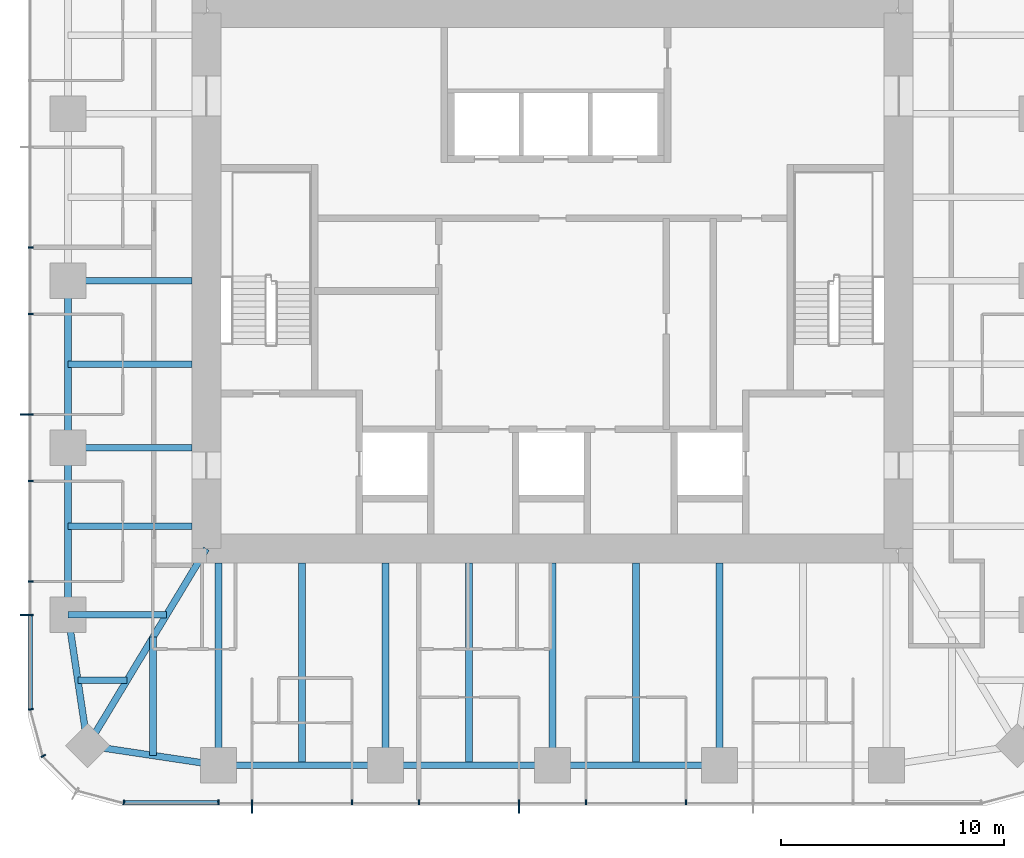
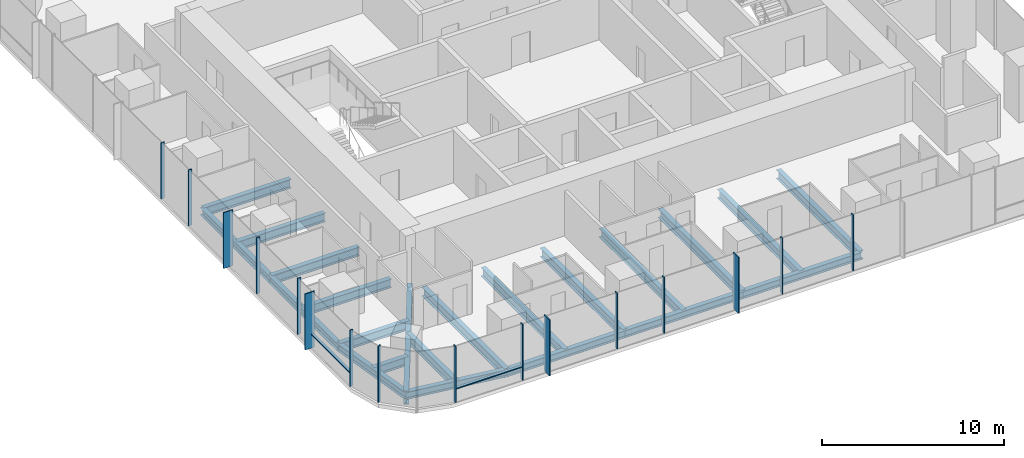
# One storey, part 2 of 12: 22 beams, 18 members, 3 elements without a shape of their own.
"""IFC4 building model written with IfcOpenShell, lengths in metres."""

from ifc_helpers import new_model, si_unit, direction, frame, origin, origin_2d, place, context, subcontext, project, spatial, rectangle, i_section, extrude, material, material_profile, profile_set, type_object, element, aggregate, save


model = new_model("IFC4")

# Units and contexts
model_context = context("Model", 3, precision=1e-05, world=origin(), true_north=direction((0.0, 1.0)))
body_context = subcontext(model_context, "Body", "Model", "MODEL_VIEW")
ifc_project = project(units=[si_unit("LENGTHUNIT", "METRE"), si_unit("AREAUNIT", "SQUARE_METRE"), si_unit("VOLUMEUNIT", "CUBIC_METRE"), si_unit("PLANEANGLEUNIT", "RADIAN"), si_unit("MASSUNIT", "GRAM", prefix="KILO")], contexts=[model_context])

# Site, building, storey
site_placement = place(None, origin())
site = spatial("IfcSite", under=ifc_project, at=site_placement, CompositionType="ELEMENT")
building_placement = place(site_placement, origin())
building = spatial("IfcBuilding", under=site, at=building_placement, Name="Khuree Lantern Residences", CompositionType="ELEMENT")
storey_placement = place(building_placement, frame((0.0, 0.0, 315.75)))
storey = spatial("IfcBuildingStorey", under=building, at=storey_placement, Name="L79", CompositionType="ELEMENT", Elevation=315.75)

# Beams
ifc_material_1 = material(Name="Steel S355", Category="steel")
ifc_material_profile_1 = material_profile(ifc_material_1, i_section(OverallWidth=0.300048828125, OverallDepth=0.590087890625, WebThickness=0.012939453125, FlangeThickness=0.02490234375, FilletRadius=0.027099609375, at=origin_2d()), Name="HE 600 A")
ifc_profile_set_1 = profile_set([ifc_material_profile_1], Name="Steel S355")
beam_type_1 = type_object("IfcBeamType", Name="B-43 SECONDARY BEAM HE 600 A", PredefinedType="BEAM", material=ifc_profile_set_1)
for number, where, z_axis, x_axis, name in (
    (1, (3.739990234375, -21.699951171875, -0.544921875), (0.0, 1.0, 0.0), (-1.0, 0.0, 0.0), "Secondary beam S3"),
    (2, (-3.739990234375, -21.699951171875, -0.544921875), (0.0, 1.0, 0.0), (-1.0, 0.0, 0.0), "Secondary beam S4"),
    (3, (-11.219970703125, -21.699951171875, -0.544921875), (0.0, 1.0, 0.0), (-1.0, 0.0, 0.0), "Secondary beam S5"),
):
    element("IfcBeam", number, at=place(storey_placement, frame(where, z_axis=z_axis, x_axis=x_axis)), inside=storey, type_object=beam_type_1, Name=name, PredefinedType="BEAM", context=body_context, shape_type="SweptSolid", body=[
        extrude(i_section(OverallWidth=0.300048828125, OverallDepth=0.590087890625, WebThickness=0.012939453125, FlangeThickness=0.02490234375, FilletRadius=0.027099609375, at=origin_2d()), origin(), (0.0, 0.0, 1.0), 9.050048828125),
    ])
beam_1_placement = place(storey_placement, frame((-17.890625, -21.2607421875, -0.544921875), z_axis=(0.0, 1.0, 0.0), x_axis=(-1.0, 0.0, 0.0)))
element("IfcBeam", 4, at=beam_1_placement, inside=storey, type_object=beam_type_1, Name="Secondary beam S6", PredefinedType="BEAM", context=body_context, shape_type="SweptSolid", body=[
    extrude(i_section(OverallWidth=0.300048828125, OverallDepth=0.590087890625, WebThickness=0.012939453125, FlangeThickness=0.02490234375, FilletRadius=0.027099609375, at=origin_2d()), origin(), (0.0, 0.0, 1.0), 5.297607421875),
])
beam_2_placement = place(storey_placement, frame((-21.2607421875, -17.890625, -0.544921875), z_axis=(1.0, 0.0, 0.0), x_axis=(0.0, 1.0, 0.0)))
element("IfcBeam", 5, at=beam_2_placement, inside=storey, type_object=beam_type_1, Name="Secondary beam W1", PredefinedType="BEAM", context=body_context, shape_type="SweptSolid", body=[
    extrude(i_section(OverallWidth=0.300048828125, OverallDepth=0.590087890625, WebThickness=0.012939453125, FlangeThickness=0.02490234375, FilletRadius=0.027099609375, at=origin_2d()), origin(), (0.0, 0.0, 1.0), 2.207275390625),
])
for number, where, z_axis, x_axis, name in (
    (6, (-21.699951171875, -11.0, -0.544921875), (1.0, 0.0, 0.0), (0.0, 1.0, 0.0), "Secondary beam W2"),
    (7, (-21.699951171875, -3.739990234375, -0.544921875), (1.0, 0.0, 0.0), (0.0, 1.0, 0.0), "Secondary beam W3"),
):
    element("IfcBeam", number, at=place(storey_placement, frame(where, z_axis=z_axis, x_axis=x_axis)), inside=storey, type_object=beam_type_1, Name=name, PredefinedType="BEAM", context=body_context, shape_type="SweptSolid", body=[
        extrude(i_section(OverallWidth=0.300048828125, OverallDepth=0.590087890625, WebThickness=0.012939453125, FlangeThickness=0.02490234375, FilletRadius=0.027099609375, at=origin_2d()), origin(), (0.0, 0.0, 1.0), 5.550048828125),
    ])
ifc_material_profile_2 = material_profile(ifc_material_1, i_section(OverallWidth=0.300048828125, OverallDepth=0.489990234375, WebThickness=0.011962890625, FlangeThickness=0.02294921875, FilletRadius=0.027099609375, at=origin_2d()), Name="HE 500 A")
ifc_profile_set_2 = profile_set([ifc_material_profile_2], Name="Steel S355")
beam_type_2 = type_object("IfcBeamType", Name="E-43 SPANDREL BEAM HE 500 A", PredefinedType="SPANDREL", material=ifc_profile_set_2)
for number, where, z_axis, x_axis, name in (
    (8, (7.47998046875, -21.699951171875, -0.4951171875), (-1.0, 0.0, 0.0), (0.0, -1.0, 0.0), "Spandrel beam S3"),
    (9, (0.0, -21.699951171875, -0.4951171875), (-1.0, 0.0, 0.0), (0.0, -1.0, 0.0), "Spandrel beam S4"),
    (10, (-7.47998046875, -21.699951171875, -0.4951171875), (-1.0, 0.0, 0.0), (0.0, -1.0, 0.0), "Spandrel beam S5"),
):
    element("IfcBeam", number, at=place(storey_placement, frame(where, z_axis=z_axis, x_axis=x_axis)), inside=storey, type_object=beam_type_2, Name=name, PredefinedType="SPANDREL", context=body_context, shape_type="SweptSolid", body=[
        extrude(i_section(OverallWidth=0.300048828125, OverallDepth=0.489990234375, WebThickness=0.011962890625, FlangeThickness=0.02294921875, FilletRadius=0.027099609375, at=origin_2d()), origin(), (0.0, 0.0, 1.0), 7.47998046875),
    ])
for number, where, z_axis, x_axis, name in (
    (11, (-14.9599609375, -21.699951171875, -0.4951171875), (-0.988949643299, 0.148251822985, 0.0), (-0.148251822985, -0.988949643299, 0.0), "Spandrel beam S6"),
    (12, (-20.8212890625, -20.8212890625, -0.4951171875), (-0.148251822985, 0.988949643299, 0.0), (-0.988949643299, -0.148251822985, 0.0), "Spandrel beam W1"),
):
    element("IfcBeam", number, at=place(storey_placement, frame(where, z_axis=z_axis, x_axis=x_axis)), inside=storey, type_object=beam_type_2, Name=name, PredefinedType="SPANDREL", context=body_context, shape_type="SweptSolid", body=[
        extrude(i_section(OverallWidth=0.300048828125, OverallDepth=0.489990234375, WebThickness=0.011962890625, FlangeThickness=0.02294921875, FilletRadius=0.027099609375, at=origin_2d()), origin(), (0.0, 0.0, 1.0), 5.9267578125),
    ])
for number, where, z_axis, x_axis, name in (
    (13, (-21.699951171875, -14.9599609375, -0.4951171875), (0.0, 1.0, 0.0), (-1.0, 0.0, 0.0), "Spandrel beam W2"),
    (14, (-21.699951171875, -7.47998046875, -0.4951171875), (0.0, 1.0, 0.0), (-1.0, 0.0, 0.0), "Spandrel beam W3"),
):
    element("IfcBeam", number, at=place(storey_placement, frame(where, z_axis=z_axis, x_axis=x_axis)), inside=storey, type_object=beam_type_2, Name=name, PredefinedType="SPANDREL", context=body_context, shape_type="SweptSolid", body=[
        extrude(i_section(OverallWidth=0.300048828125, OverallDepth=0.489990234375, WebThickness=0.011962890625, FlangeThickness=0.02294921875, FilletRadius=0.027099609375, at=origin_2d()), origin(), (0.0, 0.0, 1.0), 7.47998046875),
    ])

# Curtain wall, members
ifc_material_2 = material(Name="Bronze anodised aluminium", Category="aluminium")
curtain_wall_type_1 = type_object("IfcCurtainWallType", Name="CW-T1 TOWER FACE CURTAIN WALL", PredefinedType="USERDEFINED", material=ifc_material_2)
curtain_wall_1_placement = place(storey_placement, origin())
curtain_wall_1 = element("IfcCurtainWall", 15, at=curtain_wall_1_placement, inside=storey, type_object=curtain_wall_type_1, Name="L79 WEST FACE CURTAIN WALL", ObjectType="Stick-built curtain wall", PredefinedType="USERDEFINED")
ifc_material_profile_3 = material_profile(ifc_material_2, rectangle(XDim=0.06494140625, YDim=0.60009765625, at=origin_2d()), Name="F1 65X600")
ifc_profile_set_3 = profile_set([ifc_material_profile_3], Name="Bronze anodised aluminium")
member_type_1 = type_object("IfcMemberType", Name="F1 BRONZE FIN MULLION TOWER 65X600", PredefinedType="MULLION", material=ifc_profile_set_3)
member_1_placement = place(storey_placement, frame((-23.550048828125, -5.98388671875, 0.0), z_axis=(0.0, 0.0, 1.0), x_axis=(0.0, -1.0, 0.0)))
member_1 = element("IfcMember", 16, at=member_1_placement, type_object=member_type_1, Name="L79 WEST FACE FIN MULLION 39", PredefinedType="MULLION", context=body_context, shape_type="SweptSolid", body=[
    extrude(rectangle(XDim=0.06494140625, YDim=0.60009765625, at=origin_2d()), origin(), (0.0, 0.0, 1.0), 3.75),
])
member_2_placement = place(storey_placement, frame((-23.550048828125, -14.9599609375, 0.0), z_axis=(0.0, 0.0, 1.0), x_axis=(0.0, -1.0, 0.0)))
member_2 = element("IfcMember", 17, at=member_2_placement, type_object=member_type_1, Name="L79 WEST FACE FIN MULLION 42", PredefinedType="MULLION", context=body_context, shape_type="SweptSolid", body=[
    extrude(rectangle(XDim=0.06494140625, YDim=0.60009765625, at=origin_2d()), origin(), (0.0, 0.0, 1.0), 3.75),
])

curtain_wall_2_placement = place(storey_placement, origin())
curtain_wall_2 = element("IfcCurtainWall", 18, at=curtain_wall_2_placement, inside=storey, type_object=curtain_wall_type_1, Name="L79 SOUTH FACE CURTAIN WALL", ObjectType="Stick-built curtain wall", PredefinedType="USERDEFINED")
member_3_placement = place(storey_placement, frame((-13.464111328125, -23.550048828125, 0.0), z_axis=(0.0, 0.0, 1.0), x_axis=(1.0, 0.0, 0.0)))
member_3 = element("IfcMember", 19, at=member_3_placement, type_object=member_type_1, Name="L79 SOUTH FACE FIN MULLION 48", PredefinedType="MULLION", context=body_context, shape_type="SweptSolid", body=[
    extrude(rectangle(XDim=0.06494140625, YDim=0.60009765625, at=origin_2d()), origin(), (0.0, 0.0, 1.0), 3.75),
])
member_4_placement = place(storey_placement, frame((-1.49609375, -23.550048828125, 0.0), z_axis=(0.0, 0.0, 1.0), x_axis=(1.0, 0.0, 0.0)))
member_4 = element("IfcMember", 20, at=member_4_placement, type_object=member_type_1, Name="L79 SOUTH FACE FIN MULLION 51", PredefinedType="MULLION", context=body_context, shape_type="SweptSolid", body=[
    extrude(rectangle(XDim=0.06494140625, YDim=0.60009765625, at=origin_2d()), origin(), (0.0, 0.0, 1.0), 3.75),
])

# Beams
ifc_material_profile_4 = material_profile(ifc_material_1, i_section(OverallWidth=0.300048828125, OverallDepth=0.60009765625, WebThickness=0.015380859375, FlangeThickness=0.030029296875, FilletRadius=0.027099609375, at=origin_2d()), Name="HE 600 B")
ifc_profile_set_4 = profile_set([ifc_material_profile_4], Name="Steel S355")
beam_type_3 = type_object("IfcBeamType", Name="G-43 GIRDER HE 600 B", PredefinedType="BEAM", material=ifc_profile_set_4)
for number, where, z_axis, x_axis, name in (
    (21, (7.47998046875, -21.699951171875, -0.550048828125), (0.0, 1.0, 0.0), (-1.0, 0.0, 0.0), "Girder S2"),
    (22, (0.0, -21.699951171875, -0.550048828125), (0.0, 1.0, 0.0), (-1.0, 0.0, 0.0), "Girder S3"),
    (23, (-7.47998046875, -21.699951171875, -0.550048828125), (0.0, 1.0, 0.0), (-1.0, 0.0, 0.0), "Girder S4"),
    (24, (-14.9599609375, -21.699951171875, -0.550048828125), (0.0, 1.0, 0.0), (-1.0, 0.0, 0.0), "Girder S5"),
):
    element("IfcBeam", number, at=place(storey_placement, frame(where, z_axis=z_axis, x_axis=x_axis)), inside=storey, type_object=beam_type_3, Name=name, PredefinedType="BEAM", context=body_context, shape_type="SweptSolid", body=[
        extrude(i_section(OverallWidth=0.300048828125, OverallDepth=0.60009765625, WebThickness=0.015380859375, FlangeThickness=0.030029296875, FilletRadius=0.027099609375, at=origin_2d()), origin(), (0.0, 0.0, 1.0), 9.050048828125),
    ])
beam_3_placement = place(storey_placement, frame((-21.699951171875, -14.9599609375, -0.550048828125), z_axis=(1.0, 0.0, 0.0), x_axis=(0.0, 1.0, 0.0)))
element("IfcBeam", 25, at=beam_3_placement, inside=storey, type_object=beam_type_3, Name="Girder W1", PredefinedType="BEAM", context=body_context, shape_type="SweptSolid", body=[
    extrude(i_section(OverallWidth=0.300048828125, OverallDepth=0.60009765625, WebThickness=0.015380859375, FlangeThickness=0.030029296875, FilletRadius=0.027099609375, at=origin_2d()), origin(), (0.0, 0.0, 1.0), 4.414306640625),
])
for number, where, z_axis, x_axis, name in (
    (26, (-21.699951171875, -7.47998046875, -0.550048828125), (1.0, 0.0, 0.0), (0.0, 1.0, 0.0), "Girder W2"),
    (27, (-21.699951171875, 0.0, -0.550048828125), (1.0, 0.0, 0.0), (0.0, 1.0, 0.0), "Girder W3"),
):
    element("IfcBeam", number, at=place(storey_placement, frame(where, z_axis=z_axis, x_axis=x_axis)), inside=storey, type_object=beam_type_3, Name=name, PredefinedType="BEAM", context=body_context, shape_type="SweptSolid", body=[
        extrude(i_section(OverallWidth=0.300048828125, OverallDepth=0.60009765625, WebThickness=0.015380859375, FlangeThickness=0.030029296875, FilletRadius=0.027099609375, at=origin_2d()), origin(), (0.0, 0.0, 1.0), 5.550048828125),
    ])
ifc_material_profile_5 = material_profile(ifc_material_1, i_section(OverallWidth=0.300048828125, OverallDepth=0.89990234375, WebThickness=0.0185546875, FlangeThickness=0.034912109375, FilletRadius=0.030029296875, at=origin_2d()), Name="HE 900 B")
ifc_profile_set_5 = profile_set([ifc_material_profile_5], Name="Steel S355")
beam_type_4 = type_object("IfcBeamType", Name="GD-43 CORNER GIRDER HE 900 B", PredefinedType="BEAM", material=ifc_profile_set_5)
beam_4_placement = place(storey_placement, frame((-20.8212890625, -20.8212890625, -0.699951171875), z_axis=(0.516529577604, 0.856269347495, 0.0), x_axis=(-0.856269347495, 0.516529577604, 0.0)))
element("IfcBeam", 28, at=beam_4_placement, inside=storey, type_object=beam_type_4, Name="Corner girder SW", PredefinedType="BEAM", context=body_context, shape_type="SweptSolid", body=[
    extrude(i_section(OverallWidth=0.300048828125, OverallDepth=0.89990234375, WebThickness=0.0185546875, FlangeThickness=0.034912109375, FilletRadius=0.030029296875, at=origin_2d()), origin(), (0.0, 0.0, 1.0), 10.302001953125),
])

# Member
ifc_material_profile_6 = material_profile(ifc_material_2, rectangle(XDim=0.06494140625, YDim=0.219970703125, at=origin_2d()), Name="M1 65X220")
ifc_profile_set_6 = profile_set([ifc_material_profile_6], Name="Bronze anodised aluminium")
member_type_2 = type_object("IfcMemberType", Name="M1 BRONZE MULLION TOWER 65X220", PredefinedType="MULLION", material=ifc_profile_set_6)
member_5_placement = place(storey_placement, frame((-23.360107421875, 1.49609375, 0.0), z_axis=(0.0, 0.0, 1.0), x_axis=(0.0, -1.0, 0.0)))
member_5 = element("IfcMember", 29, at=member_5_placement, type_object=member_type_2, Name="L79 WEST FACE MULLION 37", PredefinedType="MULLION", context=body_context, shape_type="SweptSolid", body=[
    extrude(rectangle(XDim=0.06494140625, YDim=0.219970703125, at=origin_2d()), origin(), (0.0, 0.0, 1.0), 3.75),
])

member_6_placement = place(storey_placement, frame((-23.360107421875, -1.49609375, 0.0), z_axis=(0.0, 0.0, 1.0), x_axis=(0.0, -1.0, 0.0)))
member_6 = element("IfcMember", 30, at=member_6_placement, type_object=member_type_2, Name="L79 WEST FACE MULLION 38", PredefinedType="MULLION", context=body_context, shape_type="SweptSolid", body=[
    extrude(rectangle(XDim=0.06494140625, YDim=0.219970703125, at=origin_2d()), origin(), (0.0, 0.0, 1.0), 3.75),
])

member_7_placement = place(storey_placement, frame((-23.360107421875, -8.97607421875, 0.0), z_axis=(0.0, 0.0, 1.0), x_axis=(0.0, -1.0, 0.0)))
member_7 = element("IfcMember", 31, at=member_7_placement, type_object=member_type_2, Name="L79 WEST FACE MULLION 40", PredefinedType="MULLION", context=body_context, shape_type="SweptSolid", body=[
    extrude(rectangle(XDim=0.06494140625, YDim=0.219970703125, at=origin_2d()), origin(), (0.0, 0.0, 1.0), 3.75),
])

member_8_placement = place(storey_placement, frame((-23.360107421875, -13.464111328125, 0.0), z_axis=(0.0, 0.0, 1.0), x_axis=(0.0, -1.0, 0.0)))
member_8 = element("IfcMember", 32, at=member_8_placement, type_object=member_type_2, Name="L79 WEST FACE MULLION 41", PredefinedType="MULLION", context=body_context, shape_type="SweptSolid", body=[
    extrude(rectangle(XDim=0.06494140625, YDim=0.219970703125, at=origin_2d()), origin(), (0.0, 0.0, 1.0), 3.75),
])

# Curtain wall, members
curtain_wall_type_2 = type_object("IfcCurtainWallType", Name="CW-T2 TOWER CORNER CURTAIN WALL", PredefinedType="USERDEFINED", material=ifc_material_2)
curtain_wall_3_placement = place(storey_placement, origin())
curtain_wall_3 = element("IfcCurtainWall", 33, at=curtain_wall_3_placement, inside=storey, type_object=curtain_wall_type_2, Name="L79 SOUTH-WEST CORNER CURTAIN WALL", ObjectType="Faceted corner curtain wall", PredefinedType="USERDEFINED")
member_9_placement = place(storey_placement, frame((-23.36181640625, -19.195068359375, 0.0), z_axis=(0.0, 0.0, 1.0), x_axis=(0.130526125236, -0.991444870192, 0.0)))
member_9 = element("IfcMember", 34, at=member_9_placement, type_object=member_type_2, Name="L79 SOUTH-WEST CORNER MULLION 43", PredefinedType="MULLION", context=body_context, shape_type="SweptSolid", body=[
    extrude(rectangle(XDim=0.06494140625, YDim=0.219970703125, at=origin_2d()), origin(), (0.0, 0.0, 1.0), 3.75),
])
member_10_placement = place(storey_placement, frame((-22.802734375, -21.280029296875, 0.0), z_axis=(0.0, 0.0, 1.0), x_axis=(0.49999994149, -0.866025437565, 0.0)))
member_10 = element("IfcMember", 35, at=member_10_placement, type_object=member_type_2, Name="L79 SOUTH-WEST CORNER MULLION 44", PredefinedType="MULLION", context=body_context, shape_type="SweptSolid", body=[
    extrude(rectangle(XDim=0.06494140625, YDim=0.219970703125, at=origin_2d()), origin(), (0.0, 0.0, 1.0), 3.75),
])
aggregate(curtain_wall_3, [member_9, member_10])

# Member
member_11_placement = place(storey_placement, frame((-19.195068359375, -23.36181640625, 0.0), z_axis=(0.0, 0.0, 1.0), x_axis=(0.991444870192, -0.130526125236, 0.0)))
member_11 = element("IfcMember", 36, at=member_11_placement, type_object=member_type_2, Name="L79 SOUTH FACE MULLION 46", PredefinedType="MULLION", context=body_context, shape_type="SweptSolid", body=[
    extrude(rectangle(XDim=0.06494140625, YDim=0.219970703125, at=origin_2d()), origin(), (0.0, 0.0, 1.0), 3.75),
])

member_12_placement = place(storey_placement, frame((-14.9599609375, -23.360107421875, 0.0), z_axis=(0.0, 0.0, 1.0), x_axis=(1.0, 0.0, 0.0)))
member_12 = element("IfcMember", 37, at=member_12_placement, type_object=member_type_2, Name="L79 SOUTH FACE MULLION 47", PredefinedType="MULLION", context=body_context, shape_type="SweptSolid", body=[
    extrude(rectangle(XDim=0.06494140625, YDim=0.219970703125, at=origin_2d()), origin(), (0.0, 0.0, 1.0), 3.75),
])

member_13_placement = place(storey_placement, frame((-8.97607421875, -23.360107421875, 0.0), z_axis=(0.0, 0.0, 1.0), x_axis=(1.0, 0.0, 0.0)))
member_13 = element("IfcMember", 38, at=member_13_placement, type_object=member_type_2, Name="L79 SOUTH FACE MULLION 49", PredefinedType="MULLION", context=body_context, shape_type="SweptSolid", body=[
    extrude(rectangle(XDim=0.06494140625, YDim=0.219970703125, at=origin_2d()), origin(), (0.0, 0.0, 1.0), 3.75),
])

member_14_placement = place(storey_placement, frame((-5.98388671875, -23.360107421875, 0.0), z_axis=(0.0, 0.0, 1.0), x_axis=(1.0, 0.0, 0.0)))
member_14 = element("IfcMember", 39, at=member_14_placement, type_object=member_type_2, Name="L79 SOUTH FACE MULLION 50", PredefinedType="MULLION", context=body_context, shape_type="SweptSolid", body=[
    extrude(rectangle(XDim=0.06494140625, YDim=0.219970703125, at=origin_2d()), origin(), (0.0, 0.0, 1.0), 3.75),
])

member_15_placement = place(storey_placement, frame((1.49609375, -23.360107421875, 0.0), z_axis=(0.0, 0.0, 1.0), x_axis=(1.0, 0.0, 0.0)))
member_15 = element("IfcMember", 40, at=member_15_placement, type_object=member_type_2, Name="L79 SOUTH FACE MULLION 52", PredefinedType="MULLION", context=body_context, shape_type="SweptSolid", body=[
    extrude(rectangle(XDim=0.06494140625, YDim=0.219970703125, at=origin_2d()), origin(), (0.0, 0.0, 1.0), 3.75),
])

member_16_placement = place(storey_placement, frame((5.98388671875, -23.360107421875, 0.0), z_axis=(0.0, 0.0, 1.0), x_axis=(1.0, 0.0, 0.0)))
member_16 = element("IfcMember", 41, at=member_16_placement, type_object=member_type_2, Name="L79 SOUTH FACE MULLION 53", PredefinedType="MULLION", context=body_context, shape_type="SweptSolid", body=[
    extrude(rectangle(XDim=0.06494140625, YDim=0.219970703125, at=origin_2d()), origin(), (0.0, 0.0, 1.0), 3.75),
])

ifc_material_profile_7 = material_profile(ifc_material_2, rectangle(XDim=0.179931640625, YDim=0.06494140625, at=origin_2d()), Name="T1 180X65")
ifc_profile_set_7 = profile_set([ifc_material_profile_7], Name="Bronze anodised aluminium")
member_type_3 = type_object("IfcMemberType", Name="TRANSOM T1 TOWER 180X65", PredefinedType="USERDEFINED", material=ifc_profile_set_7)
member_17_placement = place(storey_placement, frame((-23.3701171875, -14.992431640625, 0.89990234375), z_axis=(0.0, -1.0, 0.0), x_axis=(1.0, 0.0, 0.0)))
member_17 = element("IfcMember", 42, at=member_17_placement, type_object=member_type_3, Name="L79 WEST FACE TRANSOM 42.1", ObjectType="Transom", PredefinedType="USERDEFINED", context=body_context, shape_type="SweptSolid", body=[
    extrude(rectangle(XDim=0.179931640625, YDim=0.06494140625, at=origin_2d()), origin(), (0.0, 0.0, 1.0), 4.158935546875),
])

aggregate(curtain_wall_1, [member_5, member_6, member_1, member_7, member_8, member_2, member_17])

member_18_placement = place(storey_placement, frame((-19.1513671875, -23.3701171875, 0.89990234375), z_axis=(1.0, 0.0, 0.0), x_axis=(0.0, 1.0, 0.0)))
member_18 = element("IfcMember", 43, at=member_18_placement, type_object=member_type_3, Name="L79 SOUTH FACE TRANSOM 46.1", ObjectType="Transom", PredefinedType="USERDEFINED", context=body_context, shape_type="SweptSolid", body=[
    extrude(rectangle(XDim=0.179931640625, YDim=0.06494140625, at=origin_2d()), origin(), (0.0, 0.0, 1.0), 4.158935546875),
])

aggregate(curtain_wall_2, [member_11, member_12, member_3, member_13, member_14, member_4, member_15, member_16, member_18])

save(model, "model.ifc")
